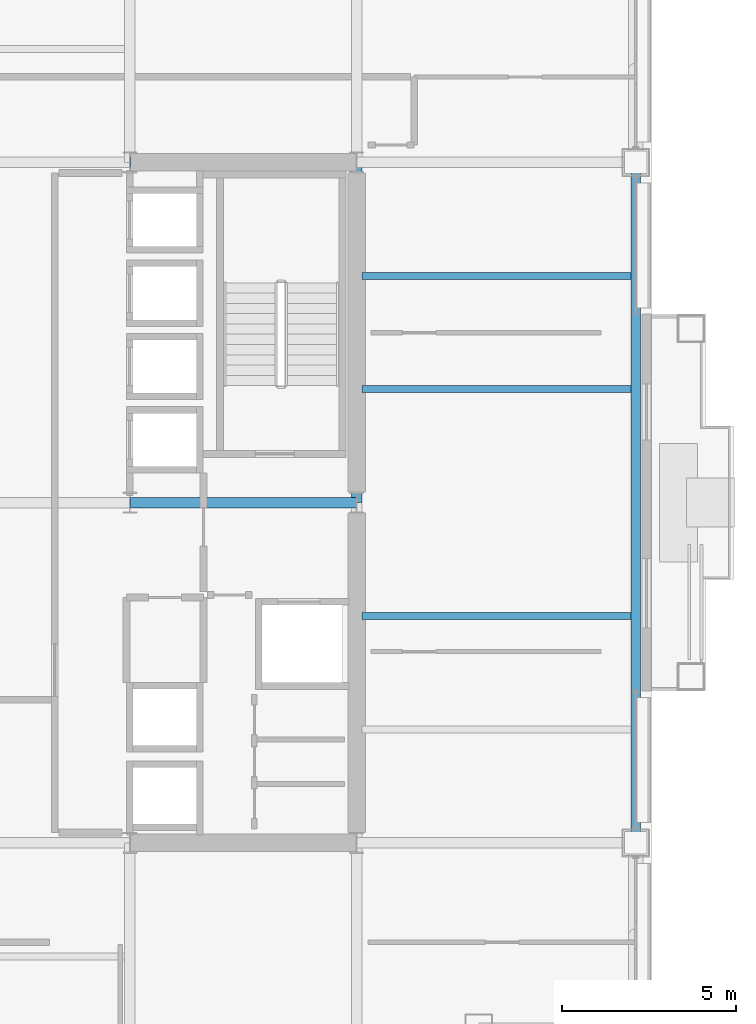
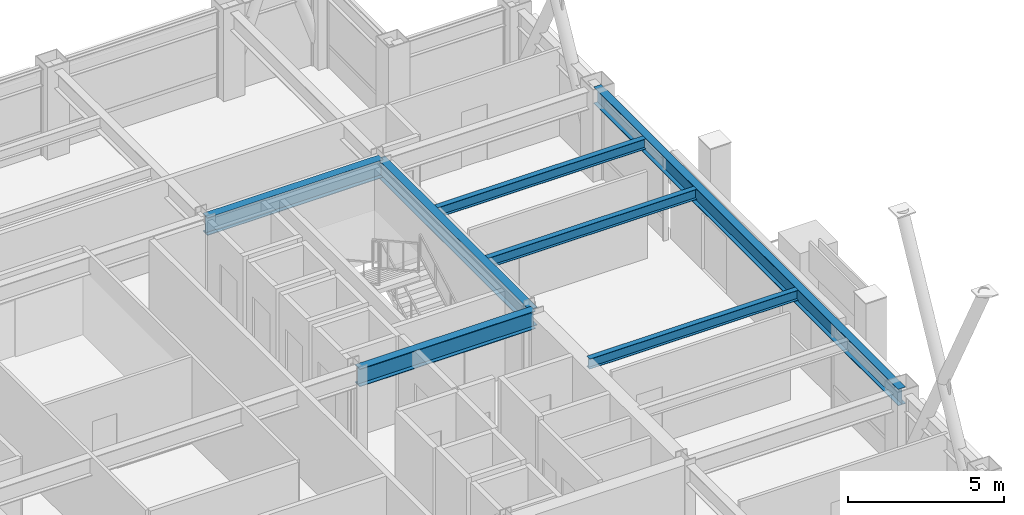
# One storey, part 16 of 35: 7 beams.
"""IFC4 building model written with IfcOpenShell, lengths in metres."""

from ifc_helpers import new_model, si_unit, direction, frame, origin, origin_2d, place, context, subcontext, project, spatial, i_section, extrude, material, material_profile, profile_set, type_object, element, save


model = new_model("IFC4")

# Units and contexts
model_context = context("Model", 3, precision=1e-05, world=origin(), true_north=direction((0.0, 1.0)))
body_context = subcontext(model_context, "Body", "Model", "MODEL_VIEW")
ifc_project = project(units=[si_unit("LENGTHUNIT", "METRE"), si_unit("AREAUNIT", "SQUARE_METRE"), si_unit("VOLUMEUNIT", "CUBIC_METRE"), si_unit("PLANEANGLEUNIT", "RADIAN"), si_unit("MASSUNIT", "GRAM", prefix="KILO")], contexts=[model_context])

# Site, building, storey
site_placement = place(None, origin())
site = spatial("IfcSite", under=ifc_project, at=site_placement, CompositionType="ELEMENT")
building_placement = place(site_placement, origin())
building = spatial("IfcBuilding", under=site, at=building_placement, Name="Brelmoor Portico Tower", CompositionType="ELEMENT")
storey_placement = place(building_placement, frame((0.0, 0.0, 131.39990234375)))
storey = spatial("IfcBuildingStorey", under=building, at=storey_placement, Name="L34", CompositionType="ELEMENT", Elevation=131.39990234375)

# Beams
ifc_material = material(Name="Steel Q355B", Category="steel")
ifc_material_profile_1 = material_profile(ifc_material, i_section(OverallWidth=0.199951171875, OverallDepth=0.39990234375, WebThickness=0.008056640625, FlangeThickness=0.012939453125, at=origin_2d()), Name="HN 400x200x8x13")
ifc_profile_set_1 = profile_set([ifc_material_profile_1], Name="Steel Q355B")
beam_type_1 = type_object("IfcBeamType", Name="BM-JS-400", PredefinedType="JOIST", material=ifc_profile_set_1)
for number, where, z_axis, x_axis, name in (
    (1, (14.699951171875, -3.25, 3.2001953125), (1.0, 0.0, 0.0), (0.0, 1.0, 0.0), "L34 Secondary Wing Joist JS-E10"),
    (2, (14.699951171875, 3.25, 3.2001953125), (1.0, 0.0, 0.0), (0.0, 1.0, 0.0), "L34 Secondary Wing Joist JS-E11"),
    (3, (14.699951171875, 6.5, 3.2001953125), (1.0, 0.0, 0.0), (0.0, 1.0, 0.0), "L34 Secondary Wing Joist JS-E12"),
):
    element("IfcBeam", number, at=place(storey_placement, frame(where, z_axis=z_axis, x_axis=x_axis)), inside=storey, type_object=beam_type_1, Name=name, PredefinedType="JOIST", context=body_context, shape_type="SweptSolid", body=[
        extrude(i_section(OverallWidth=0.199951171875, OverallDepth=0.39990234375, WebThickness=0.008056640625, FlangeThickness=0.012939453125, at=origin_2d()), origin(), (0.0, 0.0, 1.0), 7.7099609375),
    ])
ifc_material_profile_2 = material_profile(ifc_material, i_section(OverallWidth=0.300048828125, OverallDepth=0.699951171875, WebThickness=0.012939453125, FlangeThickness=0.02392578125, at=origin_2d()), Name="HN 700x300x13x24")
ifc_profile_set_2 = profile_set([ifc_material_profile_2], Name="Steel Q355B")
beam_type_2 = type_object("IfcBeamType", Name="BM-PG-700", PredefinedType="BEAM", material=ifc_profile_set_2)
beam_1_placement = place(storey_placement, frame((14.550048828125, 0.0, 3.050048828125), z_axis=(0.0, 1.0, 0.0), x_axis=(-1.0, 0.0, 0.0)))
element("IfcBeam", 4, at=beam_1_placement, inside=storey, type_object=beam_type_2, Name="L34 Primary Floor Girder PG-12", PredefinedType="BEAM", context=body_context, shape_type="SweptSolid", body=[
    extrude(i_section(OverallWidth=0.300048828125, OverallDepth=0.699951171875, WebThickness=0.012939453125, FlangeThickness=0.02392578125, at=origin_2d()), origin(), (0.0, 0.0, 1.0), 9.75),
])
for number, where, z_axis, x_axis, name in (
    (5, (8.050048828125, 0.0, 3.050048828125), (1.0, 0.0, 0.0), (0.0, 1.0, 0.0), "L34 Primary Floor Girder PG-21"),
    (6, (8.050048828125, 9.75, 3.050048828125), (1.0, 0.0, 0.0), (0.0, 1.0, 0.0), "L34 Primary Floor Girder PG-25"),
):
    element("IfcBeam", number, at=place(storey_placement, frame(where, z_axis=z_axis, x_axis=x_axis)), inside=storey, type_object=beam_type_2, Name=name, PredefinedType="BEAM", context=body_context, shape_type="SweptSolid", body=[
        extrude(i_section(OverallWidth=0.300048828125, OverallDepth=0.699951171875, WebThickness=0.012939453125, FlangeThickness=0.02392578125, at=origin_2d()), origin(), (0.0, 0.0, 1.0), 6.5),
    ])
ifc_material_profile_3 = material_profile(ifc_material, i_section(OverallWidth=0.280029296875, OverallDepth=0.64990234375, WebThickness=0.012939453125, FlangeThickness=0.02197265625, at=origin_2d()), Name="HN 650x280x13x22")
ifc_profile_set_3 = profile_set([ifc_material_profile_3], Name="Steel Q355B")
beam_type_3 = type_object("IfcBeamType", Name="BM-SP-650", PredefinedType="SPANDREL", material=ifc_profile_set_3)
beam_2_placement = place(storey_placement, frame((22.550048828125, -9.75, 3.0751953125), z_axis=(0.0, 1.0, 0.0), x_axis=(-1.0, 0.0, 0.0)))
element("IfcBeam", 7, at=beam_2_placement, inside=storey, type_object=beam_type_3, Name="L34 Perimeter Spandrel Beam SP-23", PredefinedType="SPANDREL", context=body_context, shape_type="SweptSolid", body=[
    extrude(i_section(OverallWidth=0.280029296875, OverallDepth=0.64990234375, WebThickness=0.012939453125, FlangeThickness=0.02197265625, at=origin_2d()), origin(), (0.0, 0.0, 1.0), 19.5),
])

save(model, "model.ifc")
